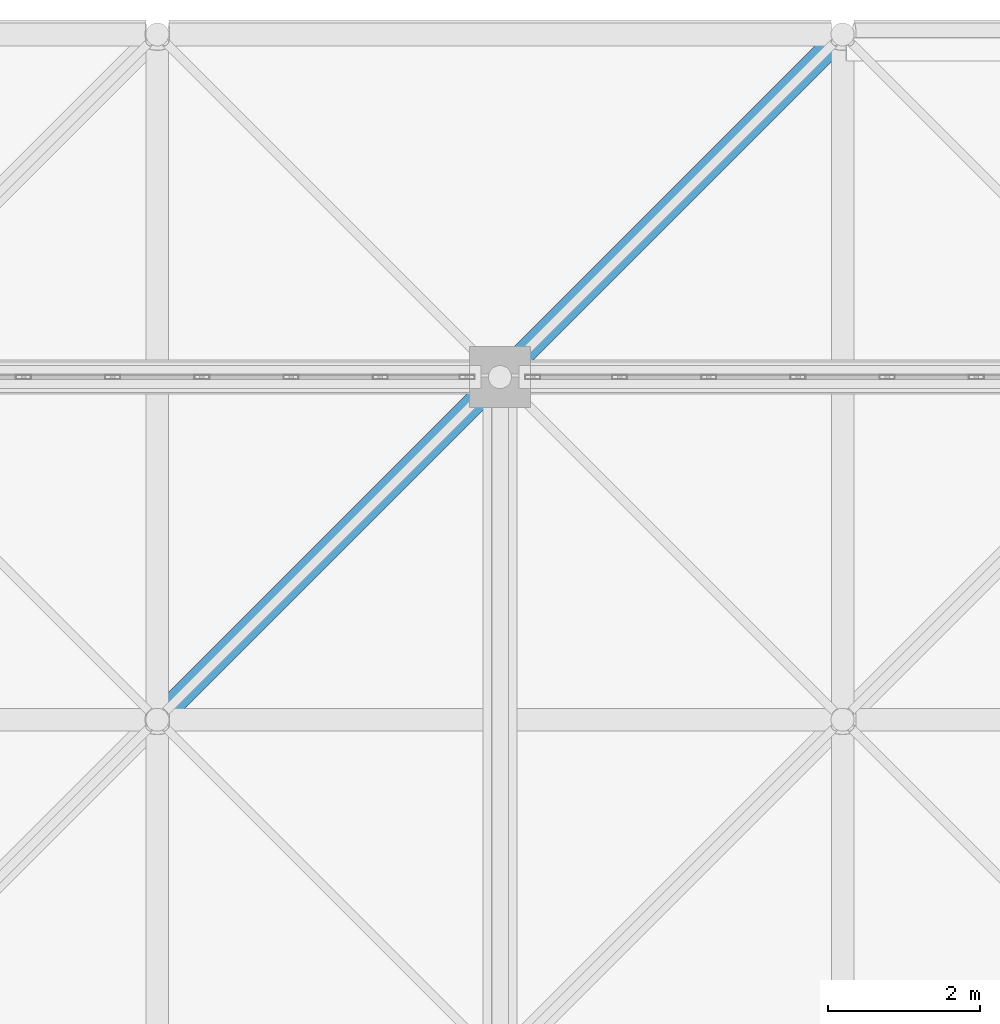
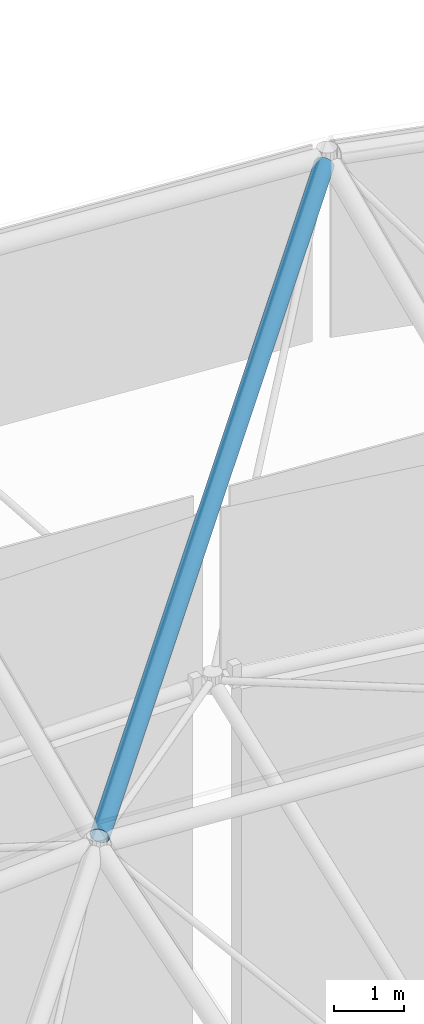
# One storey, part 126 of 437: 1 member.
"""IFC4 building model written with IfcOpenShell, lengths in metres."""

import ifcopenshell
import ifcopenshell.guid

model = None  # the IFC model being written
_history = None  # IfcOwnerHistory: only IFC2X3 demands one
_inside = {}  # id of a spatial element -> (the spatial element, [elements in it])
_under = {}  # id of a project, library or spatial element -> (it, [spatial elements below it])
_declared = {}  # id of a project -> (the project, [libraries it declares])
_typed = {}  # id of a type object -> (the type object, [elements of that type])
_made_of = {}  # id of a material, layer set ... -> (it, [elements and type objects made of it])


def new_model(schema):
    """Start an empty IFC model of exactly this schema.

    Asked for "IFC4X3", IfcOpenShell would pick the latest addendum, in which some entities
    have other attributes; the version numbers below select the first issue.
    IFC2X3 requires an IfcOwnerHistory on every rooted entity: one is made here for all.
    """
    global model, _history
    if schema == "IFC4X3":
        model = ifcopenshell.file(schema_version=(4, 3, 0, 0))
    else:
        model = ifcopenshell.file(schema=schema)
    _inside.clear()
    _under.clear()
    _declared.clear()
    _typed.clear()
    _made_of.clear()
    _history = None
    if model.schema == "IFC2X3":
        org = make("IfcOrganization", Name="unknown")
        user = make(
            "IfcPersonAndOrganization",
            ThePerson=make("IfcPerson", FamilyName="unknown"),
            TheOrganization=org,
        )
        app = make(
            "IfcApplication",
            ApplicationDeveloper=org,
            Version="unknown",
            ApplicationFullName="unknown",
            ApplicationIdentifier="unknown",
        )
        _history = make(
            "IfcOwnerHistory",
            OwningUser=user,
            OwningApplication=app,
            ChangeAction="ADDED",
            CreationDate=0,
        )
    return model


def make(cls, **values):
    """One entity of the class cls with the attributes given. An attribute that is None is left unset."""
    return model.create_entity(
        cls, **{name: value for name, value in values.items() if value is not None}
    )


def rooted(cls, **values):
    """An entity with a GlobalId (a new one), such as an element, a storey or a relation."""
    return make(cls, GlobalId=ifcopenshell.guid.new(), OwnerHistory=_history, **values)


def si_unit(unit_type, name, prefix=None):
    """IfcSIUnit, for example si_unit("LENGTHUNIT", "METRE", prefix="MILLI")."""
    return make("IfcSIUnit", UnitType=unit_type, Prefix=prefix, Name=name)


def assignment(units):
    """IfcUnitAssignment: the units of a project."""
    return None if units is None else make("IfcUnitAssignment", Units=units)


def point(xyz):
    """IfcCartesianPoint."""
    return None if xyz is None else make("IfcCartesianPoint", Coordinates=xyz)


def direction(xyz):
    """IfcDirection."""
    return None if xyz is None else make("IfcDirection", DirectionRatios=xyz)


def frame(location, z_axis=None, x_axis=None):
    """IfcAxis2Placement3D, a coordinate frame: its origin and axes. An axis left out is left unset."""
    return make(
        "IfcAxis2Placement3D",
        Location=point(location),
        Axis=direction(z_axis),
        RefDirection=direction(x_axis),
    )


def frame_2d(location, x_axis=None):
    """IfcAxis2Placement2D, a coordinate frame in the plane: its origin and x axis."""
    return make(
        "IfcAxis2Placement2D", Location=point(location), RefDirection=direction(x_axis)
    )


def origin():
    """The frame at (0, 0, 0) with its axes left unset."""
    return frame((0.0, 0.0, 0.0))


def origin_2d():
    """The frame at (0, 0) in the plane with its x axis left unset."""
    return frame_2d((0.0, 0.0))


def place(relative_to, where):
    """IfcLocalPlacement: puts the frame where relative to a parent placement (None: the world)."""
    return make(
        "IfcLocalPlacement", PlacementRelTo=relative_to, RelativePlacement=where
    )


def context(
    kind, dimensions, precision=None, world=None, true_north=None, identifier=None
):
    """IfcGeometricRepresentationContext, for example the 3D "Model" context."""
    return make(
        "IfcGeometricRepresentationContext",
        ContextIdentifier=identifier,
        ContextType=kind,
        CoordinateSpaceDimension=dimensions,
        Precision=precision,
        WorldCoordinateSystem=world,
        TrueNorth=true_north,
    )


def subcontext(parent, identifier, kind, view, scale=None):
    """IfcGeometricRepresentationSubContext, for example "Body" below "Model"."""
    return make(
        "IfcGeometricRepresentationSubContext",
        ContextIdentifier=identifier,
        ContextType=kind,
        ParentContext=parent,
        TargetScale=scale,
        TargetView=view,
    )


def project(units=None, contexts=None):
    """IfcProject with its units and contexts."""
    return rooted(
        "IfcProject",
        Name="project",
        RepresentationContexts=contexts,
        UnitsInContext=assignment(units),
    )


def spatial(cls, under=None, at=None, **own):
    """A site, building, storey or space (cls), placed at a placement, below another one or the project."""
    s = rooted(cls, ObjectPlacement=at, **own)
    if under is not None:
        _under.setdefault(under.id(), (under, []))[1].append(s)
    return s


def profile(cls, at=None, kind="AREA", **sizes):
    """A parametric profile (cls). Its sizes go by their IFC names, for example OverallWidth=200.0."""
    return make(cls, ProfileType=kind, Position=at, **sizes)


def hollow_circle(**sizes):
    """IfcCircleHollowProfileDef."""
    return profile("IfcCircleHollowProfileDef", **sizes)


def extrude(swept, where, along, depth):
    """IfcExtrudedAreaSolid: the profile swept, set in the frame where, extruded along a direction by depth."""
    return make(
        "IfcExtrudedAreaSolid",
        SweptArea=swept,
        Position=where,
        ExtrudedDirection=direction(along),
        Depth=depth,
    )


def shape(context_of_items, identifier, shape_type, items):
    """IfcShapeRepresentation: the items that make up one representation, for example the "Body"."""
    return make(
        "IfcShapeRepresentation",
        ContextOfItems=context_of_items,
        RepresentationIdentifier=identifier,
        RepresentationType=shape_type,
        Items=items,
    )


def material(Name=None, Category=None):
    """IfcMaterial."""
    return make("IfcMaterial", Name=Name, Category=Category)


def material_profile(
    of_material, cross_section, Name=None, Category=None, Priority=None
):
    """IfcMaterialProfile: a cross section and its material."""
    return make(
        "IfcMaterialProfile",
        Name=Name,
        Material=of_material,
        Profile=cross_section,
        Priority=Priority,
        Category=Category,
    )


def profile_set(profiles, Name=None, composite=None):
    """IfcMaterialProfileSet."""
    return make(
        "IfcMaterialProfileSet",
        Name=Name,
        MaterialProfiles=profiles,
        CompositeProfile=composite,
    )


def made_of(thing, what):
    """Note that an element or type object is made of a material, layer set ...; save() writes the relation."""
    if what is not None:
        _made_of.setdefault(what.id(), (what, []))[1].append(thing)
    return thing


def type_object(cls, material=None, **own):
    """A type object (cls), such as IfcWallType, which elements share."""
    return made_of(rooted(cls, **own), material)


def element(
    cls,
    number,
    at=None,
    inside=None,
    cuts=None,
    type_object=None,
    material=None,
    context=None,
    identifier="Body",
    shape_type=None,
    held_by="IfcProductDefinitionShape",
    body=None,
    shapes=None,
    **own,
):
    """One element of the class cls, such as IfcWall. Its Tag is "e" and its number.

    at: its placement. inside: the storey or other place that contains it. cuts: it is an
    opening in that element (IfcRelVoidsElement). A single representation is given by context,
    identifier, shape_type and body (its items); several are given by shapes. held_by: the class
    of the entity that holds the representations. save() writes the other relations.
    """
    e = rooted(cls, Tag="e%d" % number, ObjectPlacement=at, **own)
    if body is not None:
        shapes = [shape(context, identifier, shape_type, body)]
    if shapes is not None:
        e.Representation = make(held_by, Representations=shapes)
    if inside is not None:
        _inside.setdefault(inside.id(), (inside, []))[1].append(e)
    if cuts is not None:
        rooted(
            "IfcRelVoidsElement", RelatingBuildingElement=cuts, RelatedOpeningElement=e
        )
    if type_object is not None:
        _typed.setdefault(type_object.id(), (type_object, []))[1].append(e)
    return made_of(e, material)


def aggregate(whole, parts):
    """IfcRelAggregates: a whole, such as a stair, and the parts it consists of."""
    return rooted("IfcRelAggregates", RelatingObject=whole, RelatedObjects=parts)


def save(model, path):
    """Write the relations noted so far, then the file.

    IfcRelAggregates (storeys below a building ...), IfcRelContainedInSpatialStructure (elements
    in a storey), IfcRelDefinesByType, IfcRelAssociatesMaterial and IfcRelDeclares: one each for
    every whole, place, type object, material and project.
    """
    for whole, parts in _under.values():
        aggregate(whole, parts)
    for where, things in _inside.values():
        rooted(
            "IfcRelContainedInSpatialStructure",
            RelatedElements=things,
            RelatingStructure=where,
        )
    for kind, things in _typed.values():
        rooted("IfcRelDefinesByType", RelatedObjects=things, RelatingType=kind)
    for what, things in _made_of.values():
        rooted("IfcRelAssociatesMaterial", RelatedObjects=things, RelatingMaterial=what)
    for by, libraries in _declared.values():
        rooted("IfcRelDeclares", RelatingContext=by, RelatedDefinitions=libraries)
    model.write(path)


model = new_model("IFC4")

# Units and contexts
model_context = context("Model", 3, precision=1e-05, world=origin(), true_north=direction((0.0, 1.0)))
body_context = subcontext(model_context, "Body", "Model", "MODEL_VIEW")
ifc_project = project(units=[si_unit("LENGTHUNIT", "METRE"), si_unit("AREAUNIT", "SQUARE_METRE"), si_unit("VOLUMEUNIT", "CUBIC_METRE"), si_unit("PLANEANGLEUNIT", "RADIAN"), si_unit("MASSUNIT", "GRAM", prefix="KILO")], contexts=[model_context])

# Site, building, storey
site_placement = place(None, origin())
site = spatial("IfcSite", under=ifc_project, at=site_placement, CompositionType="ELEMENT")
building_placement = place(site_placement, origin())
building = spatial("IfcBuilding", under=site, at=building_placement, Name="Opaline Strait Convention Centre", CompositionType="ELEMENT")
storey_placement = place(building_placement, frame((0.0, 0.0, 11.5)))
storey = spatial("IfcBuildingStorey", under=building, at=storey_placement, Name="L02", CompositionType="ELEMENT", Elevation=11.5)

# Member
ifc_material = material(Name="Steel Q355B", Category="steel")
ifc_material_profile = material_profile(ifc_material, hollow_circle(Radius=0.1494140625, WallThickness=0.010009765625, at=origin_2d()), Name="CHS 299x10")
ifc_profile_set = profile_set([ifc_material_profile], Name="Steel Q355B")
member_type = type_object("IfcMemberType", Name="Shell truss top chord CHS 299x10", PredefinedType="CHORD", material=ifc_profile_set)
member_placement = place(storey_placement, frame((40.606201171875, 175.606201171875, 19.0283203125), z_axis=(0.6827688932, 0.6827688932, 0.260102435505), x_axis=(-0.707106781187, 0.707106781187, 0.0)))
element("IfcMember", 1, at=member_placement, inside=storey, type_object=member_type, Name="PTC2 top chord D5-8", PredefinedType="CHORD", context=body_context, shape_type="SweptSolid", body=[
    extrude(hollow_circle(Radius=0.1494140625, WallThickness=0.010009765625, at=origin_2d()), origin(), (0.0, 0.0, 1.0), 12.87060546875),
])

save(model, "model.ifc")
